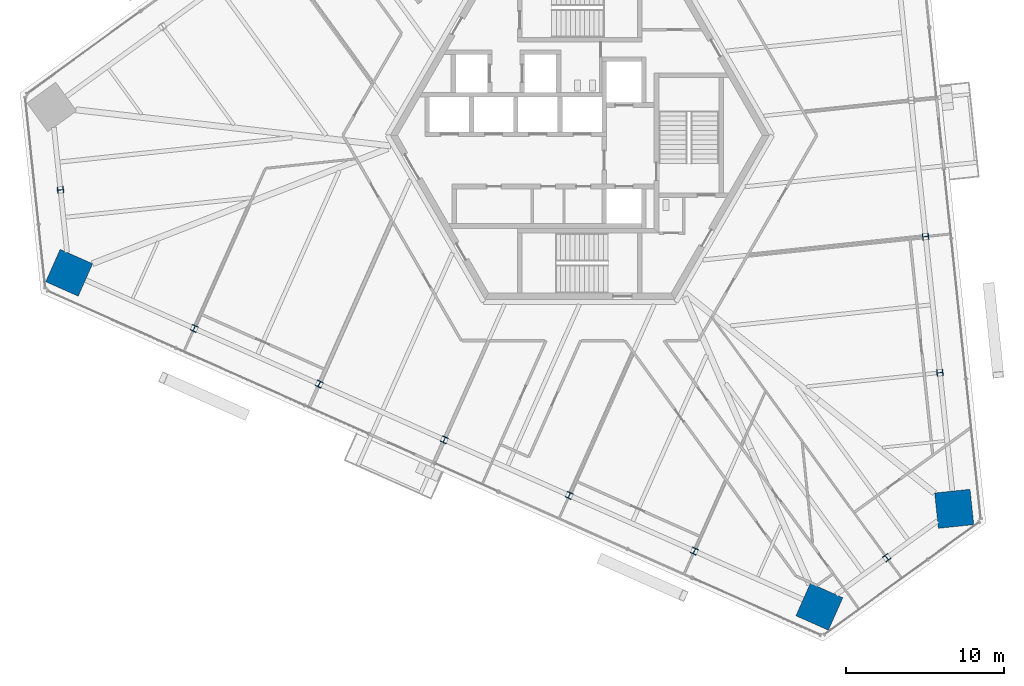
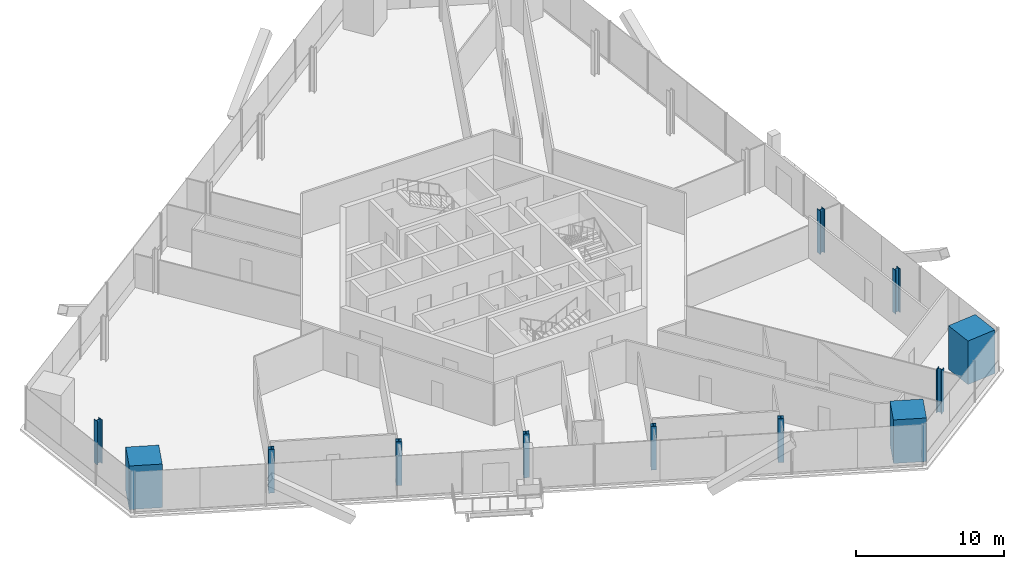
# One storey, part 1 of 18: 12 columns.
"""IFC4 building model written with IfcOpenShell, lengths in metres."""

from ifc_helpers import new_model, si_unit, direction, frame, origin, origin_2d, place, context, subcontext, project, spatial, rectangle, i_section, extrude, source, transform, mapped, material, material_profile, profile_set, type_object, element, save


model = new_model("IFC4")

# Units and contexts
model_context = context("Model", 3, precision=1e-05, world=origin(), true_north=direction((0.0, 1.0)))
body_context = subcontext(model_context, "Body", "Model", "MODEL_VIEW")
ifc_project = project(units=[si_unit("LENGTHUNIT", "METRE"), si_unit("AREAUNIT", "SQUARE_METRE"), si_unit("VOLUMEUNIT", "CUBIC_METRE"), si_unit("PLANEANGLEUNIT", "RADIAN"), si_unit("MASSUNIT", "GRAM", prefix="KILO")], contexts=[model_context])

# Site, building, storey
site_placement = place(None, origin())
site = spatial("IfcSite", under=ifc_project, at=site_placement, CompositionType="ELEMENT")
building_placement = place(site_placement, origin())
building = spatial("IfcBuilding", under=site, at=building_placement, Name="Triune Harvest Tower", CompositionType="ELEMENT")
storey_placement = place(building_placement, frame((0.0, 0.0, 83.699951171875)))
storey = spatial("IfcBuildingStorey", under=building, at=storey_placement, Name="L20", CompositionType="ELEMENT", Elevation=83.699951171875)

# Columns
ifc_material_1 = material(Name="Concrete 70 MPa", Category="concrete")
ifc_material_profile_1 = material_profile(ifc_material_1, rectangle(XDim=2.25, YDim=2.25, at=origin_2d()), Name="Composite 2250x2250")
ifc_profile_set_1 = profile_set([ifc_material_profile_1], Name="Concrete 70 MPa")
column_type_1 = type_object("IfcColumnType", Name="MC-2 Mega column Composite 2250x2250", PredefinedType="COLUMN", material=ifc_profile_set_1)
shared_shape_1 = source(origin(), body_context, "Body", "SweptSolid", [
    extrude(rectangle(XDim=2.25, YDim=2.25, at=origin_2d()), origin(), (0.0, 0.0, 1.0), 3.60009765625),
])
for number, where, z_axis, x_axis, name in (
    (1, (23.693359375, -23.6396484375, 0.0), (0.0, 0.0, 1.0), (-0.104526727499, 0.994522077803, 0.0), "col/L20/M0"),
    (2, (-32.319091796875, -8.69921875, 0.0), (0.0, 0.0, 1.0), (0.913545457643, -0.406736643076, 0.0), "col/L20/M16"),
    (3, (15.160888671875, -29.8388671875, 0.0), (0.0, 0.0, 1.0), (0.913545457643, -0.406736643076, 0.0), "col/L20/M22"),
):
    element("IfcColumn", number, at=place(storey_placement, frame(where, z_axis=z_axis, x_axis=x_axis)), inside=storey, type_object=column_type_1, Name=name, PredefinedType="COLUMN", context=body_context, shape_type="MappedRepresentation", body=[
        mapped(shared_shape_1, transform((0.0, 0.0, 0.0), scale=1.0)),
    ])
ifc_material_2 = material(Name="Steel ASTM A992 Gr 50", Category="steel")
ifc_material_profile_2 = material_profile(ifc_material_2, i_section(OverallWidth=0.398681640625, OverallDepth=0.393798828125, WebThickness=0.022705078125, FlangeThickness=0.03662109375, at=origin_2d()), Name="W14x193")
ifc_profile_set_2 = profile_set([ifc_material_profile_2], Name="Steel ASTM A992 Gr 50")
column_type_2 = type_object("IfcColumnType", Name="PC-2 Perimeter column W14x193", PredefinedType="COLUMN", material=ifc_profile_set_2)
shared_shape_2 = source(origin(), body_context, "Body", "SweptSolid", [
    extrude(i_section(OverallWidth=0.398681640625, OverallDepth=0.393798828125, WebThickness=0.022705078125, FlangeThickness=0.03662109375, at=origin_2d()), origin(), (0.0, 0.0, 1.0), 3.60009765625),
])
for number, where, z_axis, x_axis, name in (
    (4, (22.787841796875, -15.02490234375, 0.0), (0.0, 0.0, 1.0), (-0.104526727499, 0.994522077803, 0.0), "col/L20/P1"),
    (5, (21.88232421875, -6.409912109375, 0.0), (0.0, 0.0, 1.0), (-0.104526727499, 0.994522077803, 0.0), "col/L20/P2"),
    (6, (-32.870361328125, -3.454833984375, 0.0), (0.0, 0.0, 1.0), (0.104528463268, -0.994521895368, 0.0), "col/L20/P15"),
    (7, (-24.40576171875, -12.222412109375, 0.0), (0.0, 0.0, 1.0), (0.913545457643, -0.406736643076, 0.0), "col/L20/P17"),
    (8, (-16.492431640625, -15.745849609375, 0.0), (0.0, 0.0, 1.0), (0.913545457643, -0.406736643076, 0.0), "col/L20/P18"),
    (9, (-8.5791015625, -19.26904296875, 0.0), (0.0, 0.0, 1.0), (0.913545457643, -0.406736643076, 0.0), "col/L20/P19"),
    (10, (-0.665771484375, -22.792236328125, 0.0), (0.0, 0.0, 1.0), (0.913545457643, -0.406736643076, 0.0), "col/L20/P20"),
    (11, (7.24755859375, -26.3154296875, 0.0), (0.0, 0.0, 1.0), (0.913545457643, -0.406736643076, 0.0), "col/L20/P21"),
    (12, (19.427001953125, -26.7392578125, 0.0), (0.0, 0.0, 1.0), (0.809014942612, 0.587788076291, 0.0), "col/L20/P23"),
):
    element("IfcColumn", number, at=place(storey_placement, frame(where, z_axis=z_axis, x_axis=x_axis)), inside=storey, type_object=column_type_2, Name=name, PredefinedType="COLUMN", context=body_context, shape_type="MappedRepresentation", body=[
        mapped(shared_shape_2, transform((0.0, 0.0, 0.0), scale=1.0)),
    ])

save(model, "model.ifc")
